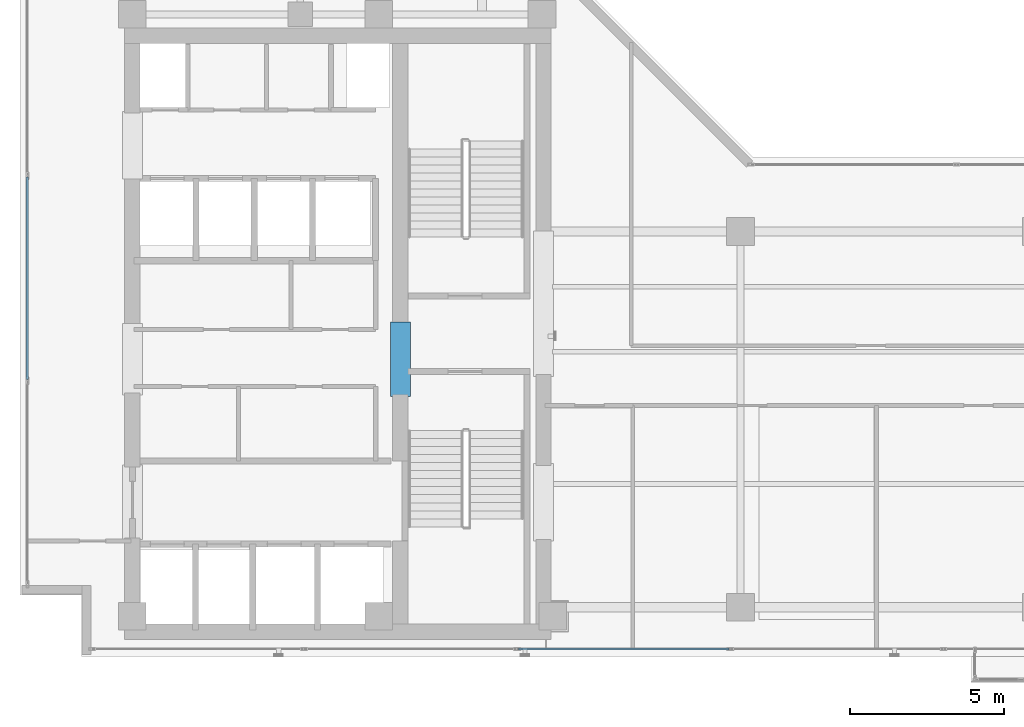
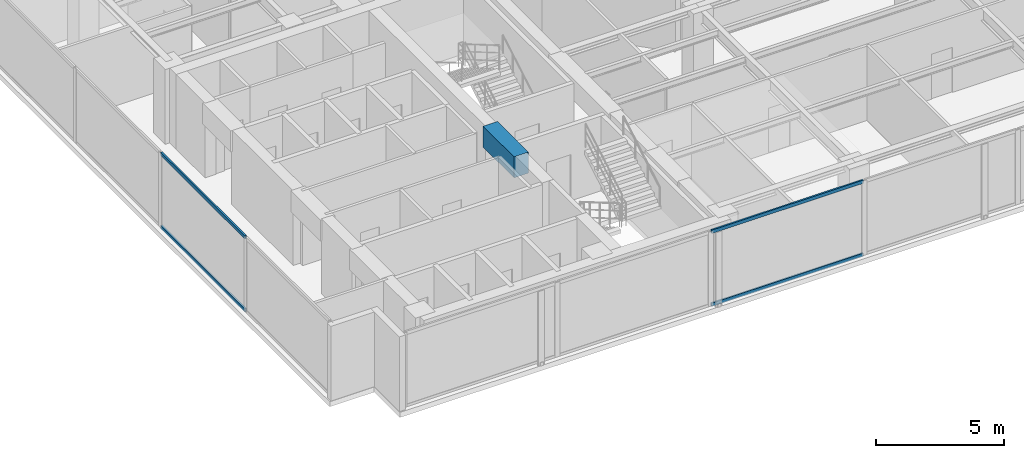
# One storey, part 3 of 24: 4 members, 1 beam, 2 elements without a shape of their own.
"""IFC4 building model written with IfcOpenShell, lengths in metres."""

from ifc_helpers import new_model, si_unit, direction, frame, origin, origin_with_axes, origin_2d, place, context, subcontext, project, spatial, rectangle, hollow_rectangle, extrude, source, transform, mapped, material, layer, layer_set, material_profile, profile_set, type_object, element, aggregate, save


model = new_model("IFC4")

# Units and contexts
model_context = context("Model", 3, precision=1e-05, world=origin(), true_north=direction((0.0, 1.0)))
body_context = subcontext(model_context, "Body", "Model", "MODEL_VIEW")
ifc_project = project(units=[si_unit("LENGTHUNIT", "METRE"), si_unit("AREAUNIT", "SQUARE_METRE"), si_unit("VOLUMEUNIT", "CUBIC_METRE"), si_unit("PLANEANGLEUNIT", "RADIAN"), si_unit("MASSUNIT", "GRAM", prefix="KILO")], contexts=[model_context])

# Site, building, storey
site_placement = place(None, origin())
site = spatial("IfcSite", under=ifc_project, at=site_placement, CompositionType="ELEMENT")
building_placement = place(site_placement, origin())
building = spatial("IfcBuilding", under=site, at=building_placement, Name="Kolvaren Waterfront Exchange", CompositionType="ELEMENT")
storey_placement = place(building_placement, frame((0.0, 0.0, 331.199951171875)))
storey = spatial("IfcBuildingStorey", under=building, at=storey_placement, Name="L85", CompositionType="ELEMENT", Elevation=331.199951171875)

# Beam
ifc_material_1 = material(Name="Concrete C60/75", Category="concrete")
ifc_material_profile_1 = material_profile(ifc_material_1, rectangle(XDim=0.64990234375, YDim=1.0, at=origin_2d()), Name="RC-CB-1000x650")
ifc_profile_set_1 = profile_set([ifc_material_profile_1], Name="Concrete C60/75")
beam_type = type_object("IfcBeamType", Name="STR-CB-1000", PredefinedType="SPANDREL", material=ifc_profile_set_1)
beam_placement = place(storey_placement, frame((16.14990234375, 12.0400390625, 3.06005859375), z_axis=(0.0, 1.0, 0.0), x_axis=(-1.0, 0.0, 0.0)))
element("IfcBeam", 1, at=beam_placement, inside=storey, type_object=beam_type, Name="L85 core coupling beam 6", PredefinedType="SPANDREL", context=body_context, shape_type="SweptSolid", body=[
    extrude(rectangle(XDim=0.64990234375, YDim=1.0, at=origin_2d()), origin(), (0.0, 0.0, 1.0), 2.419921875),
])

# Curtain wall, members
ifc_material_2 = material(Name="Anodised bronze aluminium 6063-T6", Category="aluminium")
ifc_layer_1 = layer(ifc_material_2, 0.219970703125, Name="Anodised bronze aluminium 6063-T6")
ifc_layer_set_1 = layer_set([ifc_layer_1], Name="Anodised bronze aluminium 6063-T6")
curtain_wall_type_1 = type_object("IfcCurtainWallType", Name="ARC-CW-SYS1", PredefinedType="USERDEFINED", material=ifc_layer_set_1)
curtain_wall_1_placement = place(storey_placement, origin())
curtain_wall_1 = element("IfcCurtainWall", 2, at=curtain_wall_1_placement, inside=storey, type_object=curtain_wall_type_1, Name="L85 stick curtain wall CW1 (CW-L85-S)", ObjectType="STICK CURTAIN WALL", PredefinedType="USERDEFINED")
ifc_material_3 = material(Name="Anodised aluminium 6063-T6", Category="aluminium")
ifc_material_profile_2 = material_profile(ifc_material_3, hollow_rectangle(XDim=0.074951171875, YDim=0.159912109375, WallThickness=0.00439453125, at=origin_2d()), Name="ALU-TRN-160x75x4.5")
ifc_profile_set_2 = profile_set([ifc_material_profile_2], Name="Anodised aluminium 6063-T6")
member_type = type_object("IfcMemberType", Name="ARC-CWT-160", PredefinedType="USERDEFINED", material=ifc_profile_set_2)
shared_shape_1 = source(origin_with_axes(), body_context, "Body", "SweptSolid", [
    extrude(hollow_rectangle(XDim=0.074951171875, YDim=0.159912109375, WallThickness=0.00439453125, at=origin_2d()), origin(), (0.0, 0.0, 1.0), 6.8427734375),
])
member_1_placement = place(storey_placement, frame((19.985595703125, 3.840087890625, 0.03759765625), z_axis=(1.0, 0.0, 0.0), x_axis=(0.0, 1.0, 0.0)))
member_1 = element("IfcMember", 3, at=member_1_placement, type_object=member_type, Name="CW1 transom 3.1", ObjectType="TRANSOM", PredefinedType="USERDEFINED", context=body_context, shape_type="MappedRepresentation", body=[
    mapped(shared_shape_1, transform((0.0, 0.0, 0.0), x_axis=(1.0, 0.0, 0.0), y_axis=(0.0, 1.0, 0.0), z_axis=(0.0, 0.0, 1.0), scale=1.0)),
])
member_2_placement = place(storey_placement, frame((19.985595703125, 3.840087890625, 3.5224609375), z_axis=(1.0, 0.0, 0.0), x_axis=(0.0, 1.0, 0.0)))
member_2 = element("IfcMember", 4, at=member_2_placement, type_object=member_type, Name="CW1 transom 3.2", ObjectType="TRANSOM", PredefinedType="USERDEFINED", context=body_context, shape_type="MappedRepresentation", body=[
    mapped(shared_shape_1, transform((0.0, 0.0, 0.0), x_axis=(1.0, 0.0, 0.0), y_axis=(0.0, 1.0, 0.0), z_axis=(0.0, 0.0, 1.0), scale=1.0)),
])
aggregate(curtain_wall_1, [member_1, member_2])

ifc_layer_2 = layer(ifc_material_3, 0.219970703125, Name="Anodised aluminium 6063-T6")
ifc_layer_set_2 = layer_set([ifc_layer_2], Name="Anodised aluminium 6063-T6")
curtain_wall_type_2 = type_object("IfcCurtainWallType", Name="ARC-CW-SYS2", PredefinedType="USERDEFINED", material=ifc_layer_set_2)
curtain_wall_2_placement = place(storey_placement, origin())
curtain_wall_2 = element("IfcCurtainWall", 5, at=curtain_wall_2_placement, inside=storey, type_object=curtain_wall_type_2, Name="L85 stick curtain wall CW2 (CW-L85-W)", ObjectType="STICK CURTAIN WALL", PredefinedType="USERDEFINED")
shared_shape_2 = source(origin_with_axes(), body_context, "Body", "SweptSolid", [
    extrude(hollow_rectangle(XDim=0.074951171875, YDim=0.159912109375, WallThickness=0.00439453125, at=origin_2d()), origin(), (0.0, 0.0, 1.0), 6.576171875),
])
member_3_placement = place(storey_placement, frame((4.0400390625, 12.59619140625, 0.03759765625), z_axis=(0.0, 1.0, 0.0), x_axis=(-1.0, 0.0, 0.0)))
member_3 = element("IfcMember", 6, at=member_3_placement, type_object=member_type, Name="CW2 transom 2.1", ObjectType="TRANSOM", PredefinedType="USERDEFINED", context=body_context, shape_type="MappedRepresentation", body=[
    mapped(shared_shape_2, transform((0.0, 0.0, 0.0), x_axis=(1.0, 0.0, 0.0), y_axis=(0.0, 1.0, 0.0), z_axis=(0.0, 0.0, 1.0), scale=1.0)),
])
member_4_placement = place(storey_placement, frame((4.0400390625, 12.59619140625, 3.5224609375), z_axis=(0.0, 1.0, 0.0), x_axis=(-1.0, 0.0, 0.0)))
member_4 = element("IfcMember", 7, at=member_4_placement, type_object=member_type, Name="CW2 transom 2.2", ObjectType="TRANSOM", PredefinedType="USERDEFINED", context=body_context, shape_type="MappedRepresentation", body=[
    mapped(shared_shape_2, transform((0.0, 0.0, 0.0), x_axis=(1.0, 0.0, 0.0), y_axis=(0.0, 1.0, 0.0), z_axis=(0.0, 0.0, 1.0), scale=1.0)),
])
aggregate(curtain_wall_2, [member_3, member_4])

save(model, "model.ifc")
